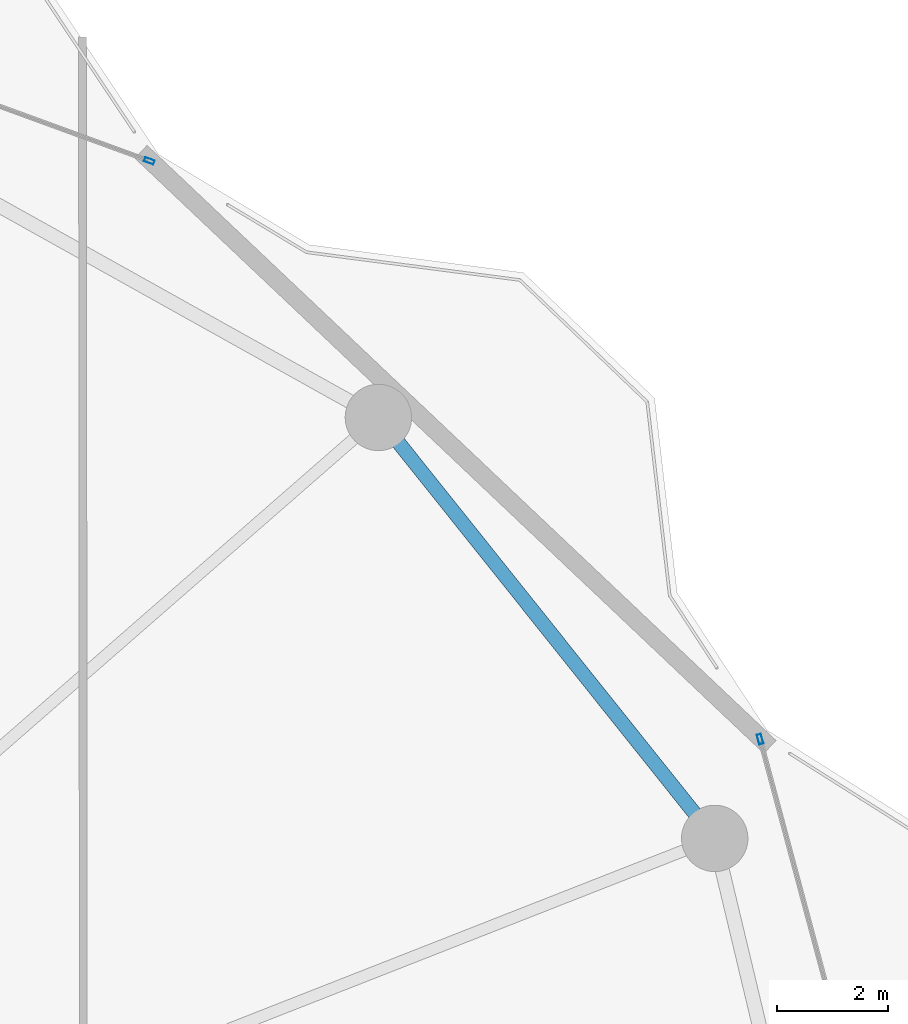
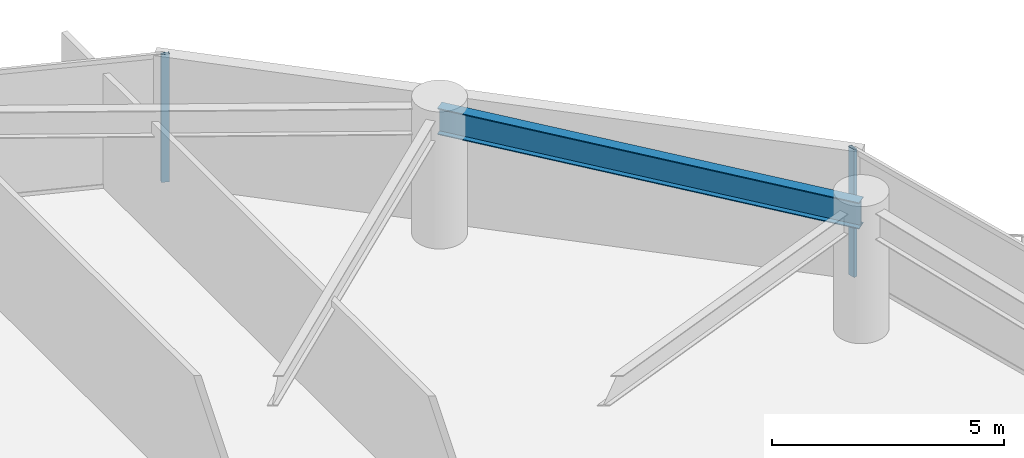
# One storey, part 21 of 28: 2 members, 1 beam, 2 elements without a shape of their own.
"""IFC4 building model written with IfcOpenShell, lengths in metres."""

from ifc_helpers import new_model, si_unit, direction, frame, origin, origin_2d, place, context, subcontext, project, spatial, hollow_rectangle, i_section, extrude, material, layer, layer_set, material_profile, profile_set, type_object, element, aggregate, save


model = new_model("IFC4")

# Units and contexts
model_context = context("Model", 3, precision=1e-05, world=origin(), true_north=direction((0.0, 1.0)))
body_context = subcontext(model_context, "Body", "Model", "MODEL_VIEW")
ifc_project = project(units=[si_unit("LENGTHUNIT", "METRE"), si_unit("AREAUNIT", "SQUARE_METRE"), si_unit("VOLUMEUNIT", "CUBIC_METRE"), si_unit("PLANEANGLEUNIT", "RADIAN"), si_unit("MASSUNIT", "GRAM", prefix="KILO")], contexts=[model_context])

# Site, building, storey
site_placement = place(None, origin())
site = spatial("IfcSite", under=ifc_project, at=site_placement, CompositionType="ELEMENT")
building_placement = place(site_placement, origin())
building = spatial("IfcBuilding", under=site, at=building_placement, Name="Kazevale Care Tower and Concert Hall", CompositionType="ELEMENT")
storey_placement = place(building_placement, frame((0.0, 0.0, 138.60009765625)))
storey = spatial("IfcBuildingStorey", under=building, at=storey_placement, Name="L36", CompositionType="ELEMENT", Elevation=138.60009765625)

# Curtain wall, member
ifc_material_1 = material(Name="Aluminium 6063-T6 and Low-E Glass", Category="aluminium")
ifc_layer_1 = layer(ifc_material_1, 0.179931640625)
ifc_layer_set_1 = layer_set([ifc_layer_1], Name="Aluminium 6063-T6 and Low-E Glass")
curtain_wall_type_1 = type_object("IfcCurtainWallType", Name="Convex Checkerboard Finned Curtain Wall CW-2", PredefinedType="NOTDEFINED", material=ifc_layer_set_1)
curtain_wall_1_placement = place(storey_placement, origin())
curtain_wall_1 = element("IfcCurtainWall", 1, at=curtain_wall_1_placement, inside=storey, type_object=curtain_wall_type_1, Name="cw:L36:f16", PredefinedType="NOTDEFINED")
ifc_material_2 = material(Name="Aluminium 6063-T6", Category="aluminium")
ifc_material_profile_1 = material_profile(ifc_material_2, hollow_rectangle(XDim=0.080078125, YDim=0.179931640625, WallThickness=0.0048828125, at=origin_2d()), Name="ALU80x180x5")
ifc_profile_set_1 = profile_set([ifc_material_profile_1], Name="Aluminium 6063-T6")
member_type_1 = type_object("IfcMemberType", Name="CW-2 Mullion ALU80x180x5", PredefinedType="MULLION", material=ifc_profile_set_1)
member_1_placement = place(storey_placement, frame((60.689453125, 59.2177734375, 0.0), z_axis=(0.0, 0.0, 1.0), x_axis=(0.343143453498, 0.939283008641, 0.0)))
member_1 = element("IfcMember", 2, at=member_1_placement, type_object=member_type_1, Name="CW-2 mullion 2", PredefinedType="MULLION", context=body_context, shape_type="SweptSolid", body=[
    extrude(hollow_rectangle(XDim=0.080078125, YDim=0.179931640625, WallThickness=0.0048828125, at=origin_2d()), origin(), (0.0, 0.0, 1.0), 3.35986328125),
])
aggregate(curtain_wall_1, [member_1])

ifc_layer_2 = layer(ifc_material_1, 0.179931640625)
ifc_layer_set_2 = layer_set([ifc_layer_2], Name="Aluminium 6063-T6 and Low-E Glass")
curtain_wall_type_2 = type_object("IfcCurtainWallType", Name="Waist & Upper Residential Curtain Wall CW-4", PredefinedType="NOTDEFINED", material=ifc_layer_set_2)
curtain_wall_2_placement = place(storey_placement, origin())
curtain_wall_2 = element("IfcCurtainWall", 3, at=curtain_wall_2_placement, inside=storey, type_object=curtain_wall_type_2, Name="cw:L36:f18", PredefinedType="NOTDEFINED")
ifc_material_profile_2 = material_profile(ifc_material_2, hollow_rectangle(XDim=0.080078125, YDim=0.179931640625, WallThickness=0.0048828125, at=origin_2d()), Name="ALU80x180x5")
ifc_profile_set_2 = profile_set([ifc_material_profile_2], Name="Aluminium 6063-T6")
member_type_2 = type_object("IfcMemberType", Name="CW-4 Mullion ALU80x180x5", PredefinedType="MULLION", material=ifc_profile_set_2)
member_2_placement = place(storey_placement, frame((71.73046875, 48.764404296875, 0.0), z_axis=(0.0, 0.0, 1.0), x_axis=(0.965806263229, 0.259264848961, 0.0)))
member_2 = element("IfcMember", 4, at=member_2_placement, type_object=member_type_2, Name="CW-4 mullion 1", PredefinedType="MULLION", context=body_context, shape_type="SweptSolid", body=[
    extrude(hollow_rectangle(XDim=0.080078125, YDim=0.179931640625, WallThickness=0.0048828125, at=origin_2d()), origin(), (0.0, 0.0, 1.0), 3.35986328125),
])
aggregate(curtain_wall_2, [member_2])

# Beam
ifc_material_3 = material(Name="Steel ASTM A572 Gr 50", Category="steel")
ifc_material_profile_3 = material_profile(ifc_material_3, i_section(OverallWidth=0.256103515625, OverallDepth=0.693115234375, WebThickness=0.014404296875, FlangeThickness=0.023681640625, at=origin_2d()), Name="W690x170")
ifc_profile_set_3 = profile_set([ifc_material_profile_3], Name="Steel ASTM A572 Gr 50")
beam_type = type_object("IfcBeamType", Name="Waist Ring Beam W690x170", PredefinedType="BEAM", material=ifc_profile_set_3)
beam_placement = place(storey_placement, frame((70.909912109375, 46.969970703125, 3.013427734375), z_axis=(-0.624178340034, 0.781281895242, 0.0), x_axis=(-0.781281895242, -0.624178340034, 0.0)))
element("IfcBeam", 5, at=beam_placement, inside=storey, type_object=beam_type, Name="beam:L36:ring:02", PredefinedType="BEAM", context=body_context, shape_type="SweptSolid", body=[
    extrude(i_section(OverallWidth=0.256103515625, OverallDepth=0.693115234375, WebThickness=0.014404296875, FlangeThickness=0.023681640625, at=origin_2d()), origin(), (0.0, 0.0, 1.0), 9.740478515625),
])

save(model, "model.ifc")
